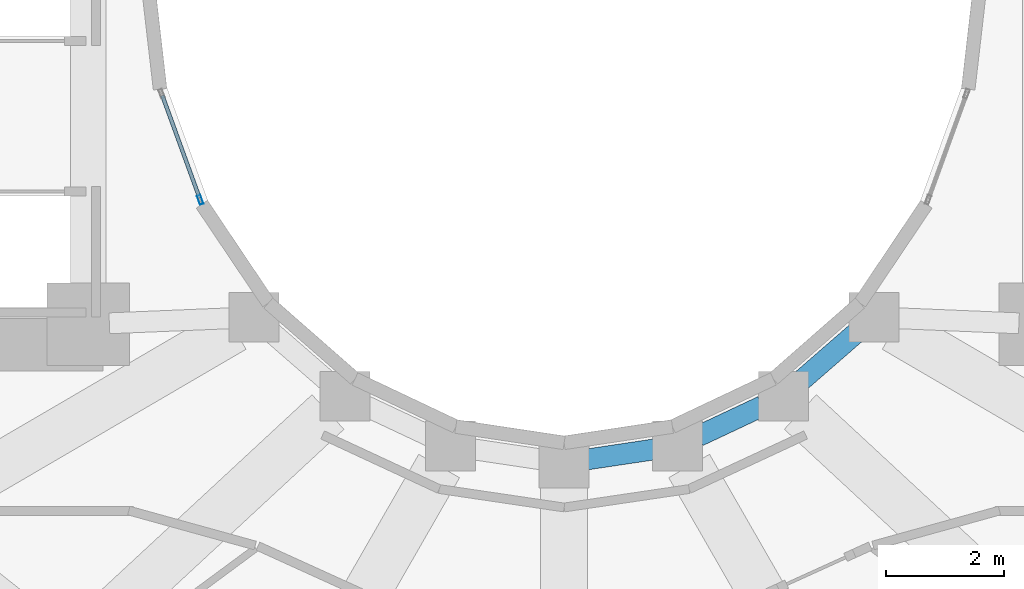
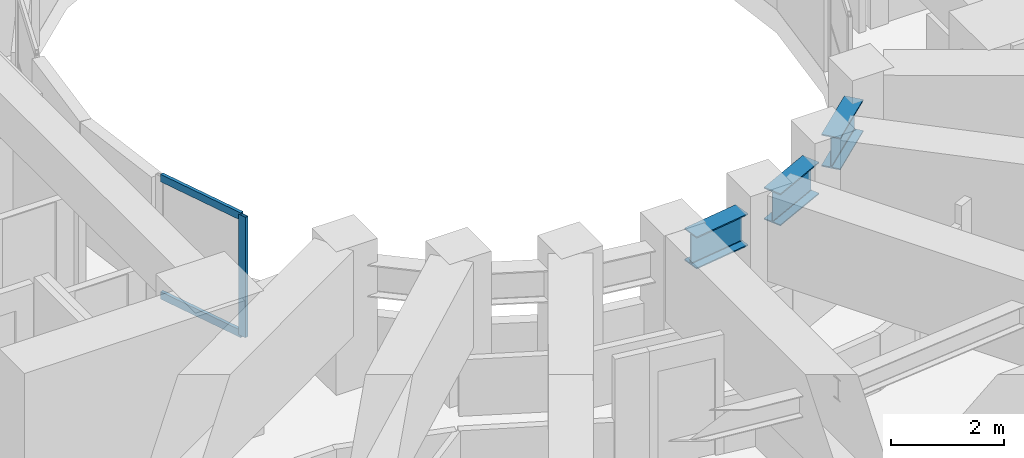
# One storey, part 2 of 19: 3 beams, 3 members, 1 element without a shape of its own.
"""IFC4 building model written with IfcOpenShell, lengths in metres."""

from ifc_helpers import new_model, si_unit, direction, frame, origin, origin_2d, place, context, subcontext, project, spatial, hollow_rectangle, i_section, extrude, material, layer, layer_set, material_profile, profile_set, type_object, element, aggregate, save


model = new_model("IFC4")

# Units and contexts
model_context = context("Model", 3, precision=1e-05, world=origin(), true_north=direction((0.0, 1.0)))
body_context = subcontext(model_context, "Body", "Model", "MODEL_VIEW")
ifc_project = project(units=[si_unit("LENGTHUNIT", "METRE"), si_unit("AREAUNIT", "SQUARE_METRE"), si_unit("VOLUMEUNIT", "CUBIC_METRE"), si_unit("PLANEANGLEUNIT", "RADIAN"), si_unit("MASSUNIT", "GRAM", prefix="KILO")], contexts=[model_context])

# Site, building, storey
site_placement = place(None, origin())
site = spatial("IfcSite", under=ifc_project, at=site_placement, CompositionType="ELEMENT")
building_placement = place(site_placement, origin())
building = spatial("IfcBuilding", under=site, at=building_placement, Name="Solvane Sanctuary Tower", CompositionType="ELEMENT")
storey_placement = place(building_placement, frame((0.0, 0.0, 73.199951171875)))
storey = spatial("IfcBuildingStorey", under=building, at=storey_placement, Name="L21", CompositionType="ELEMENT", Elevation=73.199951171875)

# Beams
ifc_material_1 = material(Name="Steel ASTM A992 Grade 50", Category="steel")
ifc_material_profile_1 = material_profile(ifc_material_1, i_section(OverallWidth=0.35498046875, OverallDepth=0.695068359375, WebThickness=0.015380859375, FlangeThickness=0.02490234375, FilletRadius=0.01806640625, at=origin_2d()), Name="W27X146")
ifc_profile_set_1 = profile_set([ifc_material_profile_1], Name="Steel ASTM A992 Grade 50")
beam_type = type_object("IfcBeamType", Name="Beam B-RING-IN1 W27X146", PredefinedType="BEAM", material=ifc_profile_set_1)
beam_1_placement = place(storey_placement, frame((32.390625, 14.598388671875, 2.25048828125), z_axis=(0.989034751611, 0.147682971619, 0.0), x_axis=(-0.147682971619, 0.989034751611, 0.0)))
element("IfcBeam", 1, at=beam_1_placement, inside=storey, type_object=beam_type, Name="L21 Inner Light-Well Ring Beam IC11-IC12", PredefinedType="BEAM", context=body_context, shape_type="SweptSolid", body=[
    extrude(i_section(OverallWidth=0.35498046875, OverallDepth=0.695068359375, WebThickness=0.015380859375, FlangeThickness=0.02490234375, FilletRadius=0.01806640625, at=origin_2d()), origin(), (0.0, 0.0, 1.0), 1.162109375),
])
beam_2_placement = place(storey_placement, frame((34.288330078125, 14.99609375, 2.25048828125), z_axis=(0.905044882818, 0.425316070804, 0.0), x_axis=(-0.425316070804, 0.905044882818, 0.0)))
element("IfcBeam", 2, at=beam_2_placement, inside=storey, type_object=beam_type, Name="L21 Inner Light-Well Ring Beam IC12-IC13", PredefinedType="BEAM", context=body_context, shape_type="SweptSolid", body=[
    extrude(i_section(OverallWidth=0.35498046875, OverallDepth=0.695068359375, WebThickness=0.015380859375, FlangeThickness=0.02490234375, FilletRadius=0.01806640625, at=origin_2d()), origin(), (0.0, 0.0, 1.0), 1.197998046875),
])
beam_3_placement = place(storey_placement, frame((36.028076171875, 15.9326171875, 2.25048828125), z_axis=(0.754317177099, 0.656510164684, 0.0), x_axis=(-0.656510164684, 0.754317177099, 0.0)))
element("IfcBeam", 3, at=beam_3_placement, inside=storey, type_object=beam_type, Name="L21 Inner Light-Well Ring Beam IC13-IC14", PredefinedType="BEAM", context=body_context, shape_type="SweptSolid", body=[
    extrude(i_section(OverallWidth=0.35498046875, OverallDepth=0.695068359375, WebThickness=0.015380859375, FlangeThickness=0.02490234375, FilletRadius=0.01806640625, at=origin_2d()), origin(), (0.0, 0.0, 1.0), 1.258056640625),
])

# Curtain wall, members
ifc_material_2 = material(Name="Anodised Aluminium 6063-T6", Category="aluminium")
ifc_layer = layer(ifc_material_2, 0.199951171875, Name="Anodised Aluminium 6063-T6")
ifc_layer_set = layer_set([ifc_layer], Name="Anodised Aluminium 6063-T6")
curtain_wall_type = type_object("IfcCurtainWallType", Name="Curtain Wall CW-WELL", PredefinedType="NOTDEFINED", material=ifc_layer_set)
curtain_wall_placement = place(storey_placement, origin())
curtain_wall = element("IfcCurtainWall", 4, at=curtain_wall_placement, inside=storey, type_object=curtain_wall_type, Name="L21 Light-Well Glazed Curtain Wall 13", PredefinedType="NOTDEFINED")
ifc_material_profile_2 = material_profile(ifc_material_2, hollow_rectangle(XDim=0.06494140625, YDim=0.159912109375, WallThickness=0.00341796875, at=origin_2d()), Name="ALU160X65X3.5")
ifc_profile_set_2 = profile_set([ifc_material_profile_2], Name="Anodised Aluminium 6063-T6")
member_type_1 = type_object("IfcMemberType", Name="Member M-CW-MUL-2 ALU160X65X3.5", PredefinedType="MULLION", material=ifc_profile_set_2)
member_1_placement = place(storey_placement, frame((25.8056640625, 19.017578125, 0.0), z_axis=(0.0, 0.0, 1.0), x_axis=(0.939933181429, 0.341358483781, 0.0)))
member_1 = element("IfcMember", 5, at=member_1_placement, type_object=member_type_1, Name="CW-WELL mullion 2", PredefinedType="MULLION", context=body_context, shape_type="SweptSolid", body=[
    extrude(hollow_rectangle(XDim=0.06494140625, YDim=0.159912109375, WallThickness=0.00341796875, at=origin_2d()), origin(), (0.0, 0.0, 1.0), 2.60009765625),
])
ifc_material_profile_3 = material_profile(ifc_material_2, hollow_rectangle(XDim=0.06494140625, YDim=0.159912109375, WallThickness=0.00341796875, at=origin_2d()), Name="ALU160X65X3.5")
ifc_profile_set_3 = profile_set([ifc_material_profile_3], Name="Anodised Aluminium 6063-T6")
member_type_2 = type_object("IfcMemberType", Name="Member M-CW-TRN-1 ALU160X65X3.5", PredefinedType="USERDEFINED", material=ifc_profile_set_3)
member_2_placement = place(storey_placement, frame((25.161865234375, 20.790283203125, 0.032470703125), z_axis=(0.341404620561, -0.939916424508, 0.0), x_axis=(0.939916424508, 0.341404620561, 0.0)))
member_2 = element("IfcMember", 6, at=member_2_placement, type_object=member_type_2, Name="CW-WELL transom 1.1", ObjectType="TRANSOM", PredefinedType="USERDEFINED", context=body_context, shape_type="SweptSolid", body=[
    extrude(hollow_rectangle(XDim=0.06494140625, YDim=0.159912109375, WallThickness=0.00341796875, at=origin_2d()), origin(), (0.0, 0.0, 1.0), 1.853515625),
])
member_3_placement = place(storey_placement, frame((25.161865234375, 20.790283203125, 2.567626953125), z_axis=(0.341404620561, -0.939916424508, 0.0), x_axis=(0.939916424508, 0.341404620561, 0.0)))
member_3 = element("IfcMember", 7, at=member_3_placement, type_object=member_type_2, Name="CW-WELL transom 1.2", ObjectType="TRANSOM", PredefinedType="USERDEFINED", context=body_context, shape_type="SweptSolid", body=[
    extrude(hollow_rectangle(XDim=0.06494140625, YDim=0.159912109375, WallThickness=0.00341796875, at=origin_2d()), origin(), (0.0, 0.0, 1.0), 1.853515625),
])
aggregate(curtain_wall, [member_1, member_2, member_3])

save(model, "model.ifc")
